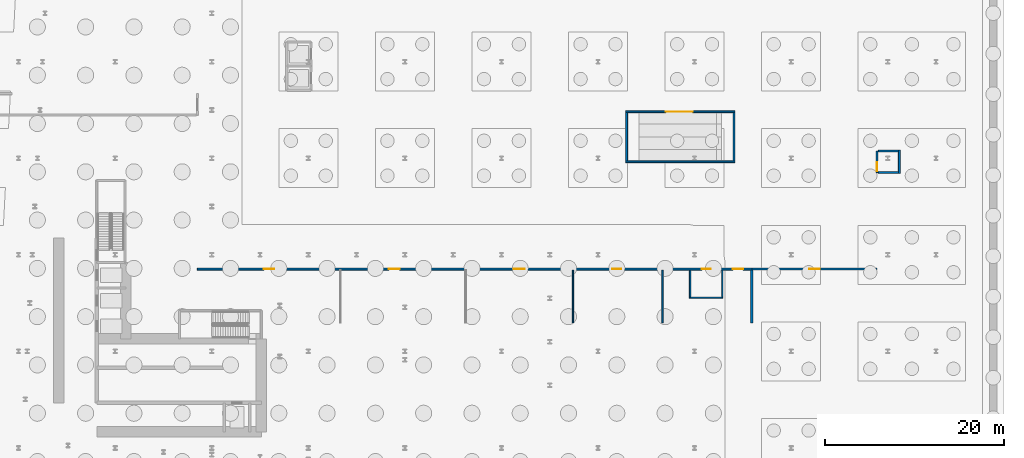
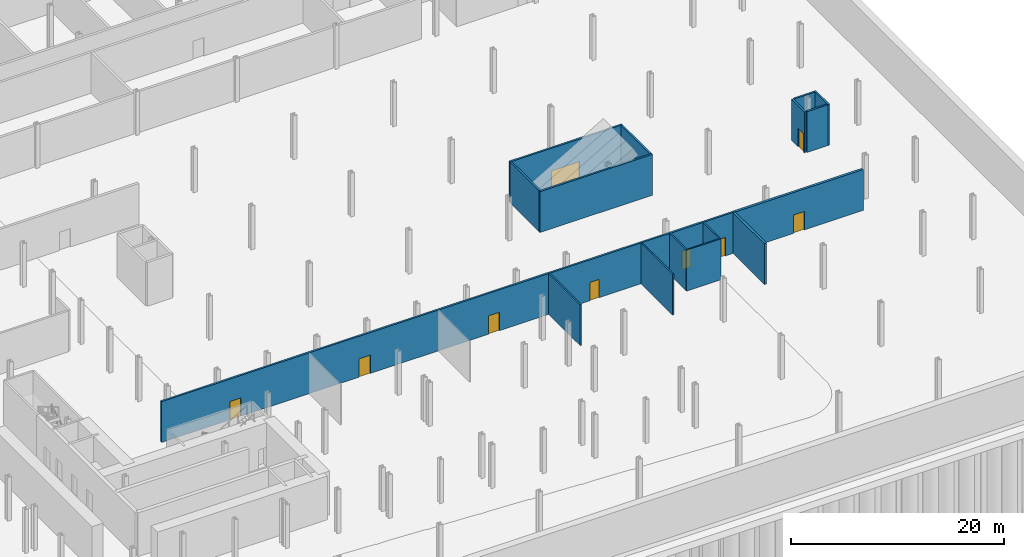
# One storey, part 14 of 23: 16 walls, 9 doors, 9 openings.
"""IFC4 building model written with IfcOpenShell, lengths in metres."""

from ifc_helpers import new_model, si_unit, direction, frame, frame_2d, origin, place, context, subcontext, project, spatial, rectangle, extrude, source, transform, mapped, material, layer, layer_set, type_object, element, fill, save


model = new_model("IFC4")

# Units and contexts
model_context = context("Model", 3, precision=1e-05, world=origin(), true_north=direction((0.0, 1.0)))
body_context = subcontext(model_context, "Body", "Model", "MODEL_VIEW")
ifc_project = project(units=[si_unit("LENGTHUNIT", "METRE"), si_unit("AREAUNIT", "SQUARE_METRE"), si_unit("VOLUMEUNIT", "CUBIC_METRE"), si_unit("PLANEANGLEUNIT", "RADIAN"), si_unit("MASSUNIT", "GRAM", prefix="KILO")], contexts=[model_context])

# Site, building, storey
site_placement = place(None, origin())
site = spatial("IfcSite", under=ifc_project, at=site_placement, CompositionType="ELEMENT")
building_placement = place(site_placement, origin())
building = spatial("IfcBuilding", under=site, at=building_placement, Name="Kheshtan School and Residences Tower", CompositionType="ELEMENT")
storey_placement = place(building_placement, frame((0.0, 0.0, -15.0)))
storey = spatial("IfcBuildingStorey", under=building, at=storey_placement, Name="B3", CompositionType="ELEMENT", Elevation=-15.0)

# Wall, openings, doors
ifc_material_1 = material(Name="Gypsum board on steel studs with fire boards", Category="steel")
ifc_layer_1 = layer(ifc_material_1, 0.199951171875)
ifc_layer_set_1 = layer_set([ifc_layer_1], Name="Corridor wall 200")
wall_type_1 = type_object("IfcWallType", Name="Corridor wall 200", PredefinedType="PARTITIONING", material=ifc_layer_set_1)
wall_1_placement = place(storey_placement, frame((46.0, 44.0, 0.0), z_axis=(0.0, 0.0, 1.0), x_axis=(1.0, 0.0, 0.0)))
wall_1 = element("IfcWall", 1, at=wall_1_placement, inside=storey, type_object=wall_type_1, Name="Partition B3-013", PredefinedType="PARTITIONING", context=body_context, shape_type="SweptSolid", body=[
    extrude(rectangle(XDim=62.0, YDim=0.199951171875, at=frame_2d((31.0, 0.0))), origin(), (0.0, 0.0, 1.0), 4.679931640625),
])
opening_1_placement = place(wall_1_placement, frame((7.39990234375, 0.0, 0.0)))
opening_1 = element("IfcOpeningElement", 2, at=opening_1_placement, cuts=wall_1, Name="Opening D3-015", PredefinedType="OPENING", context=body_context, shape_type="SweptSolid", body=[
    extrude(rectangle(XDim=1.199951171875, YDim=2.10009765625, at=frame_2d((0.60009765625, 1.050048828125))), frame((0.0, 0.10986328125, 0.0), z_axis=(0.0, -1.0, 0.0), x_axis=(1.0, 0.0, 0.0)), (0.0, 0.0, 1.0), 0.219970703125),
])
opening_2_placement = place(wall_1_placement, frame((21.39990234375, 0.0, 0.0)))
opening_2 = element("IfcOpeningElement", 3, at=opening_2_placement, cuts=wall_1, Name="Opening D3-016", PredefinedType="OPENING", context=body_context, shape_type="SweptSolid", body=[
    extrude(rectangle(XDim=1.199951171875, YDim=2.10009765625, at=frame_2d((0.60009765625, 1.050048828125))), frame((0.0, 0.10986328125, 0.0), z_axis=(0.0, -1.0, 0.0), x_axis=(1.0, 0.0, 0.0)), (0.0, 0.0, 1.0), 0.219970703125),
])
opening_3_placement = place(wall_1_placement, frame((35.39990234375, 0.0, 0.0)))
opening_3 = element("IfcOpeningElement", 4, at=opening_3_placement, cuts=wall_1, Name="Opening D3-017", PredefinedType="OPENING", context=body_context, shape_type="SweptSolid", body=[
    extrude(rectangle(XDim=1.199951171875, YDim=2.10009765625, at=frame_2d((0.60009765625, 1.050048828125))), frame((0.0, 0.10986328125, 0.0), z_axis=(0.0, -1.0, 0.0), x_axis=(1.0, 0.0, 0.0)), (0.0, 0.0, 1.0), 0.219970703125),
])
opening_4_placement = place(wall_1_placement, frame((46.39990234375, 0.0, 0.0)))
opening_4 = element("IfcOpeningElement", 5, at=opening_4_placement, cuts=wall_1, Name="Opening D3-018", PredefinedType="OPENING", context=body_context, shape_type="SweptSolid", body=[
    extrude(rectangle(XDim=1.0, YDim=2.10009765625, at=frame_2d((0.5, 1.050048828125))), frame((0.0, 0.10986328125, 0.0), z_axis=(0.0, -1.0, 0.0), x_axis=(1.0, 0.0, 0.0)), (0.0, 0.0, 1.0), 0.219970703125),
])
opening_5_placement = place(wall_1_placement, frame((56.39990234375, 0.0, 0.0)))
opening_5 = element("IfcOpeningElement", 6, at=opening_5_placement, cuts=wall_1, Name="Opening D3-019", PredefinedType="OPENING", context=body_context, shape_type="SweptSolid", body=[
    extrude(rectangle(XDim=1.0, YDim=2.10009765625, at=frame_2d((0.5, 1.050048828125))), frame((0.0, 0.10986328125, 0.0), z_axis=(0.0, -1.0, 0.0), x_axis=(1.0, 0.0, 0.0)), (0.0, 0.0, 1.0), 0.219970703125),
])
opening_6_placement = place(wall_1_placement, frame((59.85009765625, 0.0, 0.0)))
opening_6 = element("IfcOpeningElement", 7, at=opening_6_placement, cuts=wall_1, Name="Opening D3-020", PredefinedType="OPENING", context=body_context, shape_type="SweptSolid", body=[
    extrude(rectangle(XDim=1.199951171875, YDim=2.10009765625, at=frame_2d((0.60009765625, 1.050048828125))), frame((0.0, 0.10986328125, 0.0), z_axis=(0.0, -1.0, 0.0), x_axis=(1.0, 0.0, 0.0)), (0.0, 0.0, 1.0), 0.219970703125),
])
ifc_material_2 = material(Name="Steel-framed fire-resisting door leaf", Category="steel")
door_type_1 = type_object("IfcDoorType", Name="Fire door FD60 1000 x 2100", OperationType="SINGLE_SWING_LEFT", PredefinedType="DOOR", material=ifc_material_2)
shared_shape_1 = source(origin(), body_context, "Body", "SweptSolid", [
    extrude(rectangle(XDim=1.0, YDim=2.10009765625, at=frame_2d((0.5, 1.050048828125))), frame((0.0, 0.02490234375, 0.0), z_axis=(0.0, -1.0, 0.0), x_axis=(1.0, 0.0, 0.0)), (0.0, 0.0, 1.0), 0.050048828125),
])
door_1_placement = place(opening_4_placement, origin())
door_1 = element("IfcDoor", 8, at=door_1_placement, inside=storey, type_object=door_type_1, Name="Door D3-018", OperationType="SINGLE_SWING_RIGHT", OverallHeight=2.10009765625, OverallWidth=1.0, PredefinedType="DOOR", context=body_context, shape_type="MappedRepresentation", body=[
    mapped(shared_shape_1, transform((0.0, 0.0, 0.0), x_axis=(1.0, 0.0, 0.0), y_axis=(0.0, 1.0, 0.0), z_axis=(0.0, 0.0, 1.0), scale=1.0)),
])
fill(opening_4, door_1)
door_2_placement = place(opening_5_placement, origin())
door_2 = element("IfcDoor", 9, at=door_2_placement, inside=storey, type_object=door_type_1, Name="Door D3-019", OperationType="SINGLE_SWING_RIGHT", OverallHeight=2.10009765625, OverallWidth=1.0, PredefinedType="DOOR", context=body_context, shape_type="MappedRepresentation", body=[
    mapped(shared_shape_1, transform((0.0, 0.0, 0.0), x_axis=(1.0, 0.0, 0.0), y_axis=(0.0, 1.0, 0.0), z_axis=(0.0, 0.0, 1.0), scale=1.0)),
])
fill(opening_5, door_2)
door_type_2 = type_object("IfcDoorType", Name="Fire door FD60 1200 x 2100", OperationType="SINGLE_SWING_LEFT", PredefinedType="DOOR", material=ifc_material_2)
shared_shape_2 = source(origin(), body_context, "Body", "SweptSolid", [
    extrude(rectangle(XDim=1.199951171875, YDim=2.10009765625, at=frame_2d((0.60009765625, 1.050048828125))), frame((0.0, 0.02490234375, 0.0), z_axis=(0.0, -1.0, 0.0), x_axis=(1.0, 0.0, 0.0)), (0.0, 0.0, 1.0), 0.050048828125),
])
door_3_placement = place(opening_1_placement, origin())
door_3 = element("IfcDoor", 10, at=door_3_placement, inside=storey, type_object=door_type_2, Name="Door D3-015", OperationType="SINGLE_SWING_RIGHT", OverallHeight=2.10009765625, OverallWidth=1.199951171875, PredefinedType="DOOR", context=body_context, shape_type="MappedRepresentation", body=[
    mapped(shared_shape_2, transform((0.0, 0.0, 0.0), x_axis=(1.0, 0.0, 0.0), y_axis=(0.0, 1.0, 0.0), z_axis=(0.0, 0.0, 1.0), scale=1.0)),
])
fill(opening_1, door_3)
door_4_placement = place(opening_2_placement, origin())
door_4 = element("IfcDoor", 11, at=door_4_placement, inside=storey, type_object=door_type_2, Name="Door D3-016", OperationType="SINGLE_SWING_RIGHT", OverallHeight=2.10009765625, OverallWidth=1.199951171875, PredefinedType="DOOR", context=body_context, shape_type="MappedRepresentation", body=[
    mapped(shared_shape_2, transform((0.0, 0.0, 0.0), x_axis=(1.0, 0.0, 0.0), y_axis=(0.0, 1.0, 0.0), z_axis=(0.0, 0.0, 1.0), scale=1.0)),
])
fill(opening_2, door_4)
door_5_placement = place(opening_3_placement, origin())
door_5 = element("IfcDoor", 12, at=door_5_placement, inside=storey, type_object=door_type_2, Name="Door D3-017", OperationType="SINGLE_SWING_RIGHT", OverallHeight=2.10009765625, OverallWidth=1.199951171875, PredefinedType="DOOR", context=body_context, shape_type="MappedRepresentation", body=[
    mapped(shared_shape_2, transform((0.0, 0.0, 0.0), x_axis=(1.0, 0.0, 0.0), y_axis=(0.0, 1.0, 0.0), z_axis=(0.0, 0.0, 1.0), scale=1.0)),
])
fill(opening_3, door_5)
door_6_placement = place(opening_6_placement, origin())
door_6 = element("IfcDoor", 13, at=door_6_placement, inside=storey, type_object=door_type_2, Name="Door D3-020", OperationType="SINGLE_SWING_LEFT", OverallHeight=2.10009765625, OverallWidth=1.199951171875, PredefinedType="DOOR", context=body_context, shape_type="MappedRepresentation", body=[
    mapped(shared_shape_2, transform((0.0, 0.0, 0.0), x_axis=(1.0, 0.0, 0.0), y_axis=(0.0, 1.0, 0.0), z_axis=(0.0, 0.0, 1.0), scale=1.0)),
])
fill(opening_6, door_6)

# Wall
wall_2_placement = place(storey_placement, frame((93.89990234375, 56.0, 0.0), z_axis=(0.0, 0.0, 1.0), x_axis=(1.0, 0.0, 0.0)))
element("IfcWall", 14, at=wall_2_placement, inside=storey, type_object=wall_type_1, Name="Partition B3-034", PredefinedType="PARTITIONING", context=body_context, shape_type="SweptSolid", body=[
    extrude(rectangle(XDim=12.2001953125, YDim=0.199951171875, at=frame_2d((6.10009765625, 0.0))), origin(), (0.0, 0.0, 1.0), 4.679931640625),
])

# Wall, opening, door
wall_3_placement = place(storey_placement, frame((93.89990234375, 61.60009765625, 0.0), z_axis=(0.0, 0.0, 1.0), x_axis=(1.0, 0.0, 0.0)))
wall_3 = element("IfcWall", 15, at=wall_3_placement, inside=storey, type_object=wall_type_1, Name="Partition B3-035", PredefinedType="PARTITIONING", context=body_context, shape_type="SweptSolid", body=[
    extrude(rectangle(XDim=12.2001953125, YDim=0.199951171875, at=frame_2d((6.10009765625, 0.0))), origin(), (0.0, 0.0, 1.0), 4.679931640625),
])
opening_7_placement = place(wall_3_placement, frame((4.5, 0.0, 0.0)))
opening_7 = element("IfcOpeningElement", 16, at=opening_7_placement, cuts=wall_3, Name="Opening D3-001", PredefinedType="OPENING", context=body_context, shape_type="SweptSolid", body=[
    extrude(rectangle(XDim=3.0, YDim=2.10009765625, at=frame_2d((1.5, 1.050048828125))), frame((0.0, 0.10986328125, 0.0), z_axis=(0.0, -1.0, 0.0), x_axis=(1.0, 0.0, 0.0)), (0.0, 0.0, 1.0), 0.219970703125),
])
door_type_3 = type_object("IfcDoorType", Name="Fire double door FD60 3000 x 2100", OperationType="DOUBLE_DOOR_SINGLE_SWING", PredefinedType="DOOR", material=ifc_material_2)
shared_shape_3 = source(origin(), body_context, "Body", "SweptSolid", [
    extrude(rectangle(XDim=3.0, YDim=2.10009765625, at=frame_2d((1.5, 1.050048828125))), frame((0.0, 0.02490234375, 0.0), z_axis=(0.0, -1.0, 0.0), x_axis=(1.0, 0.0, 0.0)), (0.0, 0.0, 1.0), 0.050048828125),
])
door_7_placement = place(opening_7_placement, origin())
door_7 = element("IfcDoor", 17, at=door_7_placement, inside=storey, type_object=door_type_3, Name="Door D3-001", OperationType="DOUBLE_DOOR_SINGLE_SWING", OverallHeight=2.10009765625, OverallWidth=3.0, PredefinedType="DOOR", context=body_context, shape_type="MappedRepresentation", body=[
    mapped(shared_shape_3, transform((0.0, 0.0, 0.0), x_axis=(1.0, 0.0, 0.0), y_axis=(0.0, 1.0, 0.0), z_axis=(0.0, 0.0, 1.0), scale=1.0)),
])
fill(opening_7, door_7)

# Walls
for number, where, z_axis, x_axis, name in (
    (18, (94.0, 56.10009765625, 0.0), (0.0, 0.0, 1.0), (0.0, 1.0, 0.0), "Partition B3-036"),
    (19, (106.0, 56.10009765625, 0.0), (0.0, 0.0, 1.0), (0.0, 1.0, 0.0), "Partition B3-048"),
):
    element("IfcWall", number, at=place(storey_placement, frame(where, z_axis=z_axis, x_axis=x_axis)), inside=storey, type_object=wall_type_1, Name=name, PredefinedType="PARTITIONING", context=body_context, shape_type="SweptSolid", body=[
        extrude(rectangle(XDim=5.39990234375, YDim=0.199951171875, at=frame_2d((2.699951171875, 0.0))), origin(), (0.0, 0.0, 1.0), 4.679931640625),
    ])

# Wall, opening, door
wall_4_placement = place(storey_placement, frame((122.0, 54.800048828125, 0.0), z_axis=(0.0, 0.0, 1.0), x_axis=(0.0, 1.0, 0.0)))
wall_4 = element("IfcWall", 20, at=wall_4_placement, inside=storey, type_object=wall_type_1, Name="Partition B3-054", PredefinedType="PARTITIONING", context=body_context, shape_type="SweptSolid", body=[
    extrude(rectangle(XDim=2.39990234375, YDim=0.199951171875, at=frame_2d((1.199951171875, 0.0))), origin(), (0.0, 0.0, 1.0), 4.679931640625),
])
opening_8_placement = place(wall_4_placement, frame((0.14990234375, 0.0, 0.0)))
opening_8 = element("IfcOpeningElement", 21, at=opening_8_placement, cuts=wall_4, Name="Opening D3-011", PredefinedType="OPENING", context=body_context, shape_type="SweptSolid", body=[
    extrude(rectangle(XDim=1.0, YDim=2.10009765625, at=frame_2d((0.5, 1.050048828125))), frame((0.0, 0.10986328125, 0.0), z_axis=(0.0, -1.0, 0.0), x_axis=(1.0, 0.0, 0.0)), (0.0, 0.0, 1.0), 0.219970703125),
])
door_8_placement = place(opening_8_placement, origin())
door_8 = element("IfcDoor", 22, at=door_8_placement, inside=storey, type_object=door_type_1, Name="Door D3-011", OperationType="SINGLE_SWING_LEFT", OverallHeight=2.10009765625, OverallWidth=1.0, PredefinedType="DOOR", context=body_context, shape_type="MappedRepresentation", body=[
    mapped(shared_shape_1, transform((0.0, 0.0, 0.0), x_axis=(1.0, 0.0, 0.0), y_axis=(0.0, 1.0, 0.0), z_axis=(0.0, 0.0, 1.0), scale=1.0)),
])
fill(opening_8, door_8)

# Walls
for number, where, z_axis, x_axis, name in (
    (23, (122.14990234375, 54.800048828125, 0.0), (0.0, 0.0, 1.0), (1.0, 0.0, 0.0), "Partition B3-056"),
    (24, (122.14990234375, 57.199951171875, 0.0), (0.0, 0.0, 1.0), (1.0, 0.0, 0.0), "Partition B3-057"),
):
    element("IfcWall", number, at=place(storey_placement, frame(where, z_axis=z_axis, x_axis=x_axis)), inside=storey, type_object=wall_type_1, Name=name, PredefinedType="PARTITIONING", context=body_context, shape_type="SweptSolid", body=[
        extrude(rectangle(XDim=2.25, YDim=0.199951171875, at=frame_2d((1.125, 0.0))), origin(), (0.0, 0.0, 1.0), 4.679931640625),
    ])
wall_5_placement = place(storey_placement, frame((124.5, 54.699951171875, 0.0), z_axis=(0.0, 0.0, 1.0), x_axis=(0.0, 1.0, 0.0)))
element("IfcWall", 25, at=wall_5_placement, inside=storey, type_object=wall_type_1, Name="Partition B3-058", PredefinedType="PARTITIONING", context=body_context, shape_type="SweptSolid", body=[
    extrude(rectangle(XDim=2.60009765625, YDim=0.199951171875, at=frame_2d((1.300048828125, 0.0))), origin(), (0.0, 0.0, 1.0), 4.679931640625),
])
ifc_material_3 = material(Name="Fire-board and steel stud wall with mineral wool", Category="steel")
ifc_layer_2 = layer(ifc_material_3, 0.25)
ifc_layer_set_2 = layer_set([ifc_layer_2], Name="Plant room wall 250")
wall_type_2 = type_object("IfcWallType", Name="Plant room wall 250", PredefinedType="PARTITIONING", material=ifc_layer_set_2)
wall_6_placement = place(storey_placement, frame((108.0, 38.0, 0.0), z_axis=(0.0, 0.0, 1.0), x_axis=(0.0, 1.0, 0.0)))
element("IfcWall", 26, at=wall_6_placement, inside=storey, type_object=wall_type_2, Name="Partition B3-049", PredefinedType="PARTITIONING", context=body_context, shape_type="SweptSolid", body=[
    extrude(rectangle(XDim=5.875, YDim=0.25, at=frame_2d((2.9375, 0.0))), origin(), (0.0, 0.0, 1.0), 4.679931640625),
])

# Wall, opening, door
wall_7_placement = place(storey_placement, frame((108.0, 44.0, 0.0), z_axis=(0.0, 0.0, 1.0), x_axis=(1.0, 0.0, 0.0)))
wall_7 = element("IfcWall", 27, at=wall_7_placement, inside=storey, type_object=wall_type_2, Name="Partition B3-050", PredefinedType="PARTITIONING", context=body_context, shape_type="SweptSolid", body=[
    extrude(rectangle(XDim=14.0, YDim=0.25, at=frame_2d((7.0, 0.0))), origin(), (0.0, 0.0, 1.0), 4.679931640625),
])
opening_9_placement = place(wall_7_placement, frame((6.39990234375, 0.0, 0.0)))
opening_9 = element("IfcOpeningElement", 28, at=opening_9_placement, cuts=wall_7, Name="Opening D3-021", PredefinedType="OPENING", context=body_context, shape_type="SweptSolid", body=[
    extrude(rectangle(XDim=1.199951171875, YDim=2.10009765625, at=frame_2d((0.60009765625, 1.050048828125))), frame((0.0, 0.135009765625, 0.0), z_axis=(0.0, -1.0, 0.0), x_axis=(1.0, 0.0, 0.0)), (0.0, 0.0, 1.0), 0.27001953125),
])
door_type_4 = type_object("IfcDoorType", Name="Fire door FD120 1200 x 2100", OperationType="SINGLE_SWING_LEFT", PredefinedType="DOOR", material=ifc_material_2)
shared_shape_4 = source(origin(), body_context, "Body", "SweptSolid", [
    extrude(rectangle(XDim=1.199951171875, YDim=2.10009765625, at=frame_2d((0.60009765625, 1.050048828125))), frame((0.0, 0.02490234375, 0.0), z_axis=(0.0, -1.0, 0.0), x_axis=(1.0, 0.0, 0.0)), (0.0, 0.0, 1.0), 0.050048828125),
])
door_9_placement = place(opening_9_placement, origin())
door_9 = element("IfcDoor", 29, at=door_9_placement, inside=storey, type_object=door_type_4, Name="Door D3-021", OperationType="SINGLE_SWING_RIGHT", OverallHeight=2.10009765625, OverallWidth=1.199951171875, PredefinedType="DOOR", context=body_context, shape_type="MappedRepresentation", body=[
    mapped(shared_shape_4, transform((0.0, 0.0, 0.0), x_axis=(1.0, 0.0, 0.0), y_axis=(0.0, 1.0, 0.0), z_axis=(0.0, 0.0, 1.0), scale=1.0)),
])
fill(opening_9, door_9)

# Walls
ifc_material_4 = material(Name="Moisture-resistant gypsum board on steel studs", Category="steel")
ifc_layer_3 = layer(ifc_material_4, 0.14990234375)
ifc_layer_set_3 = layer_set([ifc_layer_3], Name="Wet-room partition 150")
wall_type_3 = type_object("IfcWallType", Name="Wet-room partition 150", PredefinedType="PARTITIONING", material=ifc_layer_set_3)
for number, where, z_axis, x_axis, name in (
    (30, (88.0, 38.0, 0.0), (0.0, 0.0, 1.0), (0.0, 1.0, 0.0), "Partition B3-030"),
    (31, (98.0, 38.0, 0.0), (0.0, 0.0, 1.0), (0.0, 1.0, 0.0), "Partition B3-037"),
):
    element("IfcWall", number, at=place(storey_placement, frame(where, z_axis=z_axis, x_axis=x_axis)), inside=storey, type_object=wall_type_3, Name=name, PredefinedType="PARTITIONING", context=body_context, shape_type="SweptSolid", body=[
        extrude(rectangle(XDim=5.89990234375, YDim=0.14990234375, at=frame_2d((2.949951171875, 0.0))), origin(), (0.0, 0.0, 1.0), 4.679931640625),
    ])
wall_8_placement = place(storey_placement, frame((101.02490234375, 40.800048828125, 0.0), z_axis=(0.0, 0.0, 1.0), x_axis=(1.0, 0.0, 0.0)))
element("IfcWall", 32, at=wall_8_placement, inside=storey, type_object=wall_type_3, Name="Partition B3-042", PredefinedType="PARTITIONING", context=body_context, shape_type="SweptSolid", body=[
    extrude(rectangle(XDim=3.75, YDim=0.14990234375, at=frame_2d((1.875, 0.0))), origin(), (0.0, 0.0, 1.0), 4.679931640625),
])
for number, where, z_axis, x_axis, name in (
    (33, (101.10009765625, 40.875, 0.0), (0.0, 0.0, 1.0), (0.0, 1.0, 0.0), "Partition B3-043"),
    (34, (104.699951171875, 40.875, 0.0), (0.0, 0.0, 1.0), (0.0, 1.0, 0.0), "Partition B3-047"),
):
    element("IfcWall", number, at=place(storey_placement, frame(where, z_axis=z_axis, x_axis=x_axis)), inside=storey, type_object=wall_type_3, Name=name, PredefinedType="PARTITIONING", context=body_context, shape_type="SweptSolid", body=[
        extrude(rectangle(XDim=3.02490234375, YDim=0.14990234375, at=frame_2d((1.512451171875, 0.0))), origin(), (0.0, 0.0, 1.0), 4.679931640625),
    ])

save(model, "model.ifc")
